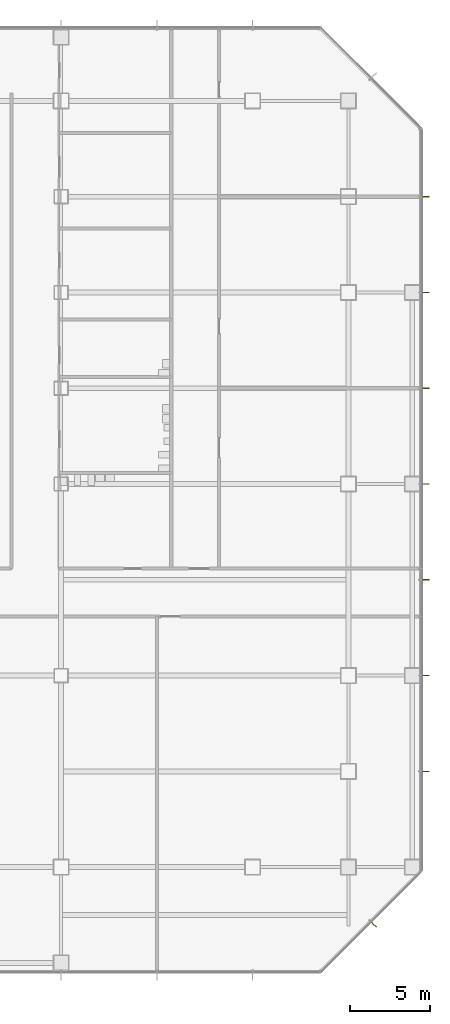
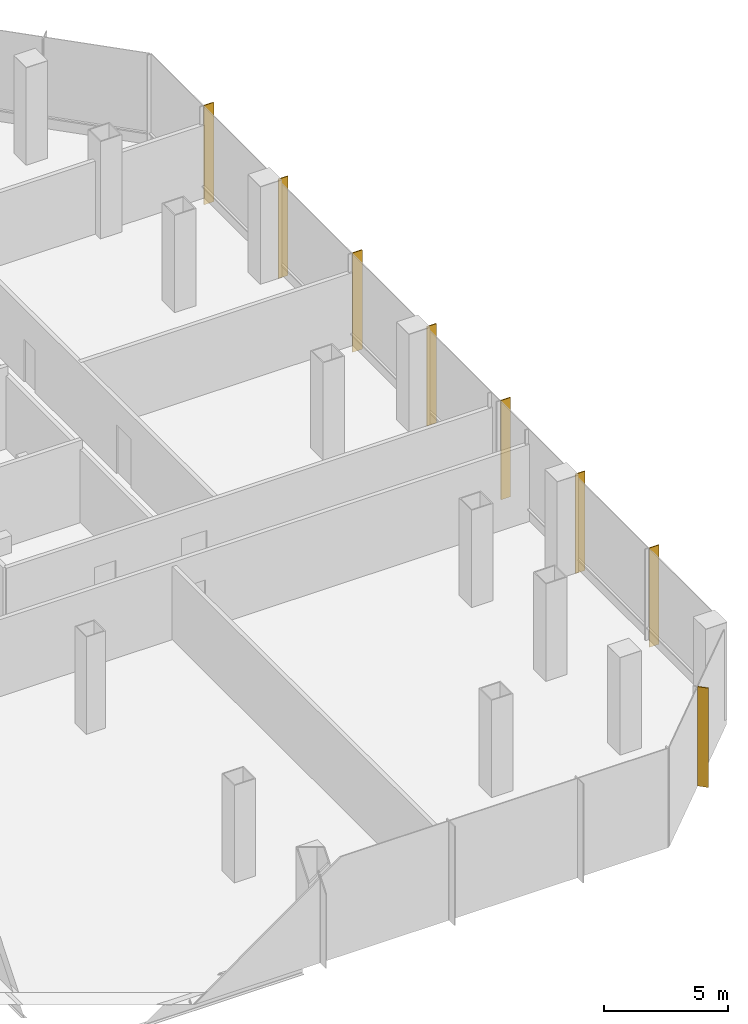
# One storey, part 32 of 34: 8 shading devices.
"""IFC4 building model written with IfcOpenShell, lengths in metres."""

from ifc_helpers import new_model, si_unit, direction, frame, origin, origin_2d, place, context, subcontext, project, spatial, rectangle, extrude, material, material_profile, profile_set, type_object, element, save


model = new_model("IFC4")

# Units and contexts
model_context = context("Model", 3, precision=1e-05, world=origin(), true_north=direction((0.0, 1.0)))
body_context = subcontext(model_context, "Body", "Model", "MODEL_VIEW")
ifc_project = project(units=[si_unit("LENGTHUNIT", "METRE"), si_unit("AREAUNIT", "SQUARE_METRE"), si_unit("VOLUMEUNIT", "CUBIC_METRE"), si_unit("PLANEANGLEUNIT", "RADIAN"), si_unit("MASSUNIT", "GRAM", prefix="KILO")], contexts=[model_context])

# Site, building, storey
site_placement = place(None, origin())
site = spatial("IfcSite", under=ifc_project, at=site_placement, CompositionType="ELEMENT")
building_placement = place(site_placement, origin())
building = spatial("IfcBuilding", under=site, at=building_placement, Name="Sorahane Residences", CompositionType="ELEMENT")
storey_placement = place(building_placement, frame((0.0, 0.0, 39.60009765625)))
storey = spatial("IfcBuildingStorey", under=building, at=storey_placement, Name="L06", CompositionType="ELEMENT", Elevation=39.60009765625)

# Shading devices
ifc_material = material(Name="Terracotta anodised aluminium", Category="masonry")
ifc_material_profile = material_profile(ifc_material, rectangle(XDim=0.449951171875, YDim=0.0400390625, at=origin_2d()), Name="Podium vertical fin terracotta anodised aluminium 450x40")
ifc_profile_set = profile_set([ifc_material_profile], Name="Terracotta anodised aluminium")
shading_device_type = type_object("IfcShadingDeviceType", Name="Podium vertical fin terracotta anodised aluminium 450x40", PredefinedType="USERDEFINED", material=ifc_profile_set)
for number, where, z_axis, x_axis, name in (
    (1, (67.597412109375, -3.597412109375, -0.400146484375), (0.0, 0.0, 1.0), (0.707106781187, -0.707106781187, 0.0), "Podium vertical fin L06 SE1.1"),
    (2, (70.844970703125, 6.0, -0.400146484375), (0.0, 0.0, 1.0), (1.0, 0.0, 0.0), "Podium vertical fin L06 E1.1"),
    (3, (70.844970703125, 12.0, -0.400146484375), (0.0, 0.0, 1.0), (1.0, 0.0, 0.0), "Podium vertical fin L06 E1.2"),
    (4, (70.844970703125, 18.0, -0.400146484375), (0.0, 0.0, 1.0), (1.0, 0.0, 0.0), "Podium vertical fin L06 E1.3"),
    (5, (70.844970703125, 24.0, -0.400146484375), (0.0, 0.0, 1.0), (1.0, 0.0, 0.0), "Podium vertical fin L06 E1.4"),
    (6, (70.844970703125, 30.0, -0.400146484375), (0.0, 0.0, 1.0), (1.0, 0.0, 0.0), "Podium vertical fin L06 E1.5"),
    (7, (70.844970703125, 36.0, -0.400146484375), (0.0, 0.0, 1.0), (1.0, 0.0, 0.0), "Podium vertical fin L06 E1.6"),
    (8, (70.844970703125, 42.0, -0.400146484375), (0.0, 0.0, 1.0), (1.0, 0.0, 0.0), "Podium vertical fin L06 E1.7"),
):
    element("IfcShadingDevice", number, at=place(storey_placement, frame(where, z_axis=z_axis, x_axis=x_axis)), inside=storey, type_object=shading_device_type, Name=name, ObjectType="Vertical fin", PredefinedType="USERDEFINED", context=body_context, shape_type="SweptSolid", body=[
        extrude(rectangle(XDim=0.449951171875, YDim=0.0400390625, at=origin_2d()), origin(), (0.0, 0.0, 1.0), 4.900146484375),
    ])

save(model, "model.ifc")
